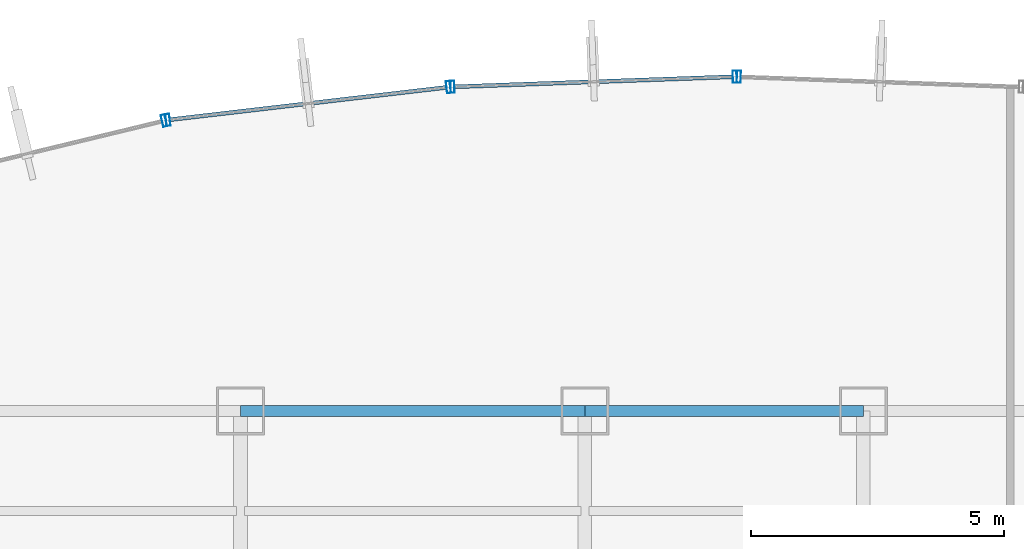
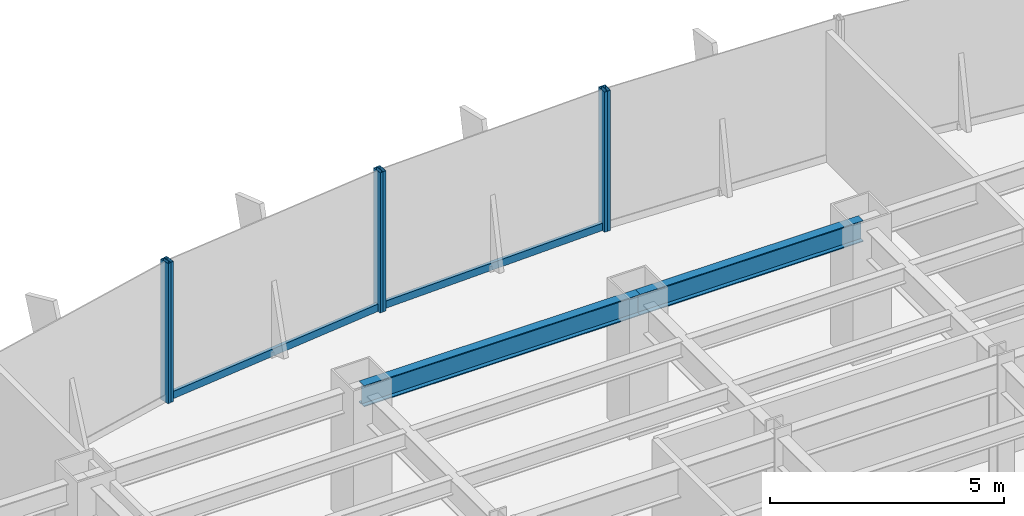
# One storey, part 12 of 22: 8 members, 2 beams, 4 elements without a shape of their own.
"""IFC4 building model written with IfcOpenShell, lengths in metres."""

import ifcopenshell
import ifcopenshell.guid

model = None  # the IFC model being written
_history = None  # IfcOwnerHistory: only IFC2X3 demands one
_inside = {}  # id of a spatial element -> (the spatial element, [elements in it])
_under = {}  # id of a project, library or spatial element -> (it, [spatial elements below it])
_declared = {}  # id of a project -> (the project, [libraries it declares])
_typed = {}  # id of a type object -> (the type object, [elements of that type])
_made_of = {}  # id of a material, layer set ... -> (it, [elements and type objects made of it])


def new_model(schema):
    """Start an empty IFC model of exactly this schema.

    Asked for "IFC4X3", IfcOpenShell would pick the latest addendum, in which some entities
    have other attributes; the version numbers below select the first issue.
    IFC2X3 requires an IfcOwnerHistory on every rooted entity: one is made here for all.
    """
    global model, _history
    if schema == "IFC4X3":
        model = ifcopenshell.file(schema_version=(4, 3, 0, 0))
    else:
        model = ifcopenshell.file(schema=schema)
    _inside.clear()
    _under.clear()
    _declared.clear()
    _typed.clear()
    _made_of.clear()
    _history = None
    if model.schema == "IFC2X3":
        org = make("IfcOrganization", Name="unknown")
        user = make(
            "IfcPersonAndOrganization",
            ThePerson=make("IfcPerson", FamilyName="unknown"),
            TheOrganization=org,
        )
        app = make(
            "IfcApplication",
            ApplicationDeveloper=org,
            Version="unknown",
            ApplicationFullName="unknown",
            ApplicationIdentifier="unknown",
        )
        _history = make(
            "IfcOwnerHistory",
            OwningUser=user,
            OwningApplication=app,
            ChangeAction="ADDED",
            CreationDate=0,
        )
    return model


def make(cls, **values):
    """One entity of the class cls with the attributes given. An attribute that is None is left unset."""
    return model.create_entity(
        cls, **{name: value for name, value in values.items() if value is not None}
    )


def rooted(cls, **values):
    """An entity with a GlobalId (a new one), such as an element, a storey or a relation."""
    return make(cls, GlobalId=ifcopenshell.guid.new(), OwnerHistory=_history, **values)


def si_unit(unit_type, name, prefix=None):
    """IfcSIUnit, for example si_unit("LENGTHUNIT", "METRE", prefix="MILLI")."""
    return make("IfcSIUnit", UnitType=unit_type, Prefix=prefix, Name=name)


def derived_unit(unit_type, elements):
    """IfcDerivedUnit: a product of units, each with its exponent."""
    return make(
        "IfcDerivedUnit",
        Elements=[
            make("IfcDerivedUnitElement", Unit=unit, Exponent=power)
            for unit, power in elements
        ],
        UnitType=unit_type,
    )


def assignment(units):
    """IfcUnitAssignment: the units of a project."""
    return None if units is None else make("IfcUnitAssignment", Units=units)


def point(xyz):
    """IfcCartesianPoint."""
    return None if xyz is None else make("IfcCartesianPoint", Coordinates=xyz)


def direction(xyz):
    """IfcDirection."""
    return None if xyz is None else make("IfcDirection", DirectionRatios=xyz)


def frame(location, z_axis=None, x_axis=None):
    """IfcAxis2Placement3D, a coordinate frame: its origin and axes. An axis left out is left unset."""
    return make(
        "IfcAxis2Placement3D",
        Location=point(location),
        Axis=direction(z_axis),
        RefDirection=direction(x_axis),
    )


def frame_2d(location, x_axis=None):
    """IfcAxis2Placement2D, a coordinate frame in the plane: its origin and x axis."""
    return make(
        "IfcAxis2Placement2D", Location=point(location), RefDirection=direction(x_axis)
    )


def origin():
    """The frame at (0, 0, 0) with its axes left unset."""
    return frame((0.0, 0.0, 0.0))


def origin_2d():
    """The frame at (0, 0) in the plane with its x axis left unset."""
    return frame_2d((0.0, 0.0))


def place(relative_to, where):
    """IfcLocalPlacement: puts the frame where relative to a parent placement (None: the world)."""
    return make(
        "IfcLocalPlacement", PlacementRelTo=relative_to, RelativePlacement=where
    )


def context(
    kind, dimensions, precision=None, world=None, true_north=None, identifier=None
):
    """IfcGeometricRepresentationContext, for example the 3D "Model" context."""
    return make(
        "IfcGeometricRepresentationContext",
        ContextIdentifier=identifier,
        ContextType=kind,
        CoordinateSpaceDimension=dimensions,
        Precision=precision,
        WorldCoordinateSystem=world,
        TrueNorth=true_north,
    )


def subcontext(parent, identifier, kind, view, scale=None):
    """IfcGeometricRepresentationSubContext, for example "Body" below "Model"."""
    return make(
        "IfcGeometricRepresentationSubContext",
        ContextIdentifier=identifier,
        ContextType=kind,
        ParentContext=parent,
        TargetScale=scale,
        TargetView=view,
    )


def project(units=None, contexts=None):
    """IfcProject with its units and contexts."""
    return rooted(
        "IfcProject",
        Name="project",
        RepresentationContexts=contexts,
        UnitsInContext=assignment(units),
    )


def spatial(cls, under=None, at=None, **own):
    """A site, building, storey or space (cls), placed at a placement, below another one or the project."""
    s = rooted(cls, ObjectPlacement=at, **own)
    if under is not None:
        _under.setdefault(under.id(), (under, []))[1].append(s)
    return s


def profile(cls, at=None, kind="AREA", **sizes):
    """A parametric profile (cls). Its sizes go by their IFC names, for example OverallWidth=200.0."""
    return make(cls, ProfileType=kind, Position=at, **sizes)


def hollow_rectangle(**sizes):
    """IfcRectangleHollowProfileDef."""
    return profile("IfcRectangleHollowProfileDef", **sizes)


def i_section(**sizes):
    """IfcIShapeProfileDef."""
    return profile("IfcIShapeProfileDef", **sizes)


def extrude(swept, where, along, depth):
    """IfcExtrudedAreaSolid: the profile swept, set in the frame where, extruded along a direction by depth."""
    return make(
        "IfcExtrudedAreaSolid",
        SweptArea=swept,
        Position=where,
        ExtrudedDirection=direction(along),
        Depth=depth,
    )


def shape(context_of_items, identifier, shape_type, items):
    """IfcShapeRepresentation: the items that make up one representation, for example the "Body"."""
    return make(
        "IfcShapeRepresentation",
        ContextOfItems=context_of_items,
        RepresentationIdentifier=identifier,
        RepresentationType=shape_type,
        Items=items,
    )


def source(mapping_origin, context_of_items, identifier, shape_type, items):
    """IfcRepresentationMap: a shape defined once, which mapped items show again and again."""
    return make(
        "IfcRepresentationMap",
        MappingOrigin=mapping_origin,
        MappedRepresentation=shape(context_of_items, identifier, shape_type, items),
    )


def transform(
    local_origin,
    x_axis=None,
    y_axis=None,
    z_axis=None,
    scale=None,
    scale2=None,
    scale3=None,
    uniform=True,
):
    """IfcCartesianTransformationOperator3D, or its non-uniform kind. x_axis, y_axis, z_axis: its Axis1, 2, 3."""
    if uniform:
        return make(
            "IfcCartesianTransformationOperator3D",
            Axis1=direction(x_axis),
            Axis2=direction(y_axis),
            LocalOrigin=point(local_origin),
            Scale=scale,
            Axis3=direction(z_axis),
        )
    return make(
        "IfcCartesianTransformationOperator3DnonUniform",
        Axis1=direction(x_axis),
        Axis2=direction(y_axis),
        LocalOrigin=point(local_origin),
        Scale=scale,
        Axis3=direction(z_axis),
        Scale2=scale2,
        Scale3=scale3,
    )


def mapped(mapping_source, mapping_target):
    """IfcMappedItem: shows the shape of a source again, moved by a transform."""
    return make(
        "IfcMappedItem", MappingSource=mapping_source, MappingTarget=mapping_target
    )


def material(Name=None, Category=None):
    """IfcMaterial."""
    return make("IfcMaterial", Name=Name, Category=Category)


def material_profile(
    of_material, cross_section, Name=None, Category=None, Priority=None
):
    """IfcMaterialProfile: a cross section and its material."""
    return make(
        "IfcMaterialProfile",
        Name=Name,
        Material=of_material,
        Profile=cross_section,
        Priority=Priority,
        Category=Category,
    )


def profile_set(profiles, Name=None, composite=None):
    """IfcMaterialProfileSet."""
    return make(
        "IfcMaterialProfileSet",
        Name=Name,
        MaterialProfiles=profiles,
        CompositeProfile=composite,
    )


def made_of(thing, what):
    """Note that an element or type object is made of a material, layer set ...; save() writes the relation."""
    if what is not None:
        _made_of.setdefault(what.id(), (what, []))[1].append(thing)
    return thing


def type_object(cls, material=None, **own):
    """A type object (cls), such as IfcWallType, which elements share."""
    return made_of(rooted(cls, **own), material)


def element(
    cls,
    number,
    at=None,
    inside=None,
    cuts=None,
    type_object=None,
    material=None,
    context=None,
    identifier="Body",
    shape_type=None,
    held_by="IfcProductDefinitionShape",
    body=None,
    shapes=None,
    **own,
):
    """One element of the class cls, such as IfcWall. Its Tag is "e" and its number.

    at: its placement. inside: the storey or other place that contains it. cuts: it is an
    opening in that element (IfcRelVoidsElement). A single representation is given by context,
    identifier, shape_type and body (its items); several are given by shapes. held_by: the class
    of the entity that holds the representations. save() writes the other relations.
    """
    e = rooted(cls, Tag="e%d" % number, ObjectPlacement=at, **own)
    if body is not None:
        shapes = [shape(context, identifier, shape_type, body)]
    if shapes is not None:
        e.Representation = make(held_by, Representations=shapes)
    if inside is not None:
        _inside.setdefault(inside.id(), (inside, []))[1].append(e)
    if cuts is not None:
        rooted(
            "IfcRelVoidsElement", RelatingBuildingElement=cuts, RelatedOpeningElement=e
        )
    if type_object is not None:
        _typed.setdefault(type_object.id(), (type_object, []))[1].append(e)
    return made_of(e, material)


def aggregate(whole, parts):
    """IfcRelAggregates: a whole, such as a stair, and the parts it consists of."""
    return rooted("IfcRelAggregates", RelatingObject=whole, RelatedObjects=parts)


def save(model, path):
    """Write the relations noted so far, then the file.

    IfcRelAggregates (storeys below a building ...), IfcRelContainedInSpatialStructure (elements
    in a storey), IfcRelDefinesByType, IfcRelAssociatesMaterial and IfcRelDeclares: one each for
    every whole, place, type object, material and project.
    """
    for whole, parts in _under.values():
        aggregate(whole, parts)
    for where, things in _inside.values():
        rooted(
            "IfcRelContainedInSpatialStructure",
            RelatedElements=things,
            RelatingStructure=where,
        )
    for kind, things in _typed.values():
        rooted("IfcRelDefinesByType", RelatedObjects=things, RelatingType=kind)
    for what, things in _made_of.values():
        rooted("IfcRelAssociatesMaterial", RelatedObjects=things, RelatingMaterial=what)
    for by, libraries in _declared.values():
        rooted("IfcRelDeclares", RelatingContext=by, RelatedDefinitions=libraries)
    model.write(path)


model = new_model("IFC4")

# Units and contexts
model_context = context("Model", 3, precision=1e-05, world=origin(), true_north=direction((0.0, 1.0)))
body_context = subcontext(model_context, "Body", "Model", "MODEL_VIEW")
ifc_project = project(units=[si_unit("LENGTHUNIT", "METRE"), si_unit("AREAUNIT", "SQUARE_METRE"), si_unit("VOLUMEUNIT", "CUBIC_METRE"), si_unit("PLANEANGLEUNIT", "RADIAN"), si_unit("MASSUNIT", "GRAM", prefix="KILO"), derived_unit("THERMALTRANSMITTANCEUNIT", [(si_unit("POWERUNIT", "WATT"), 1), (si_unit("LENGTHUNIT", "METRE"), -2), (si_unit("THERMODYNAMICTEMPERATUREUNIT", "KELVIN"), -1)])], contexts=[model_context])

# Site, building, storey
site_placement = place(None, origin())
site = spatial("IfcSite", under=ifc_project, at=site_placement, CompositionType="ELEMENT")
building_placement = place(site_placement, origin())
building = spatial("IfcBuilding", under=site, at=building_placement, Name="Skarnbrae Concourse Arena and Tower", CompositionType="ELEMENT")
storey_placement = place(building_placement, frame((0.0, 0.0, 32.5)))
storey = spatial("IfcBuildingStorey", under=building, at=storey_placement, Name="L06", CompositionType="ELEMENT", Elevation=32.5)

# Beams
ifc_material_1 = material(Name="Steel CSA G40.21 350W", Category="steel")
ifc_material_profile_1 = material_profile(ifc_material_1, i_section(OverallWidth=0.214111328125, OverallDepth=0.549072265625, WebThickness=0.0146484375, FlangeThickness=0.023681640625, at=origin_2d()), Name="W530X138")
ifc_profile_set_1 = profile_set([ifc_material_profile_1], Name="Steel CSA G40.21 350W")
beam_type = type_object("IfcBeamType", Name="BM-SPAN-W530X138", PredefinedType="SPANDREL", material=ifc_profile_set_1)
shared_shape_1 = source(origin(), body_context, "Body", "SweptSolid", [
    extrude(i_section(OverallWidth=0.214111328125, OverallDepth=0.549072265625, WebThickness=0.0146484375, FlangeThickness=0.023681640625, at=origin_2d()), origin(), (0.0, 0.0, 1.0), 6.800048828125),
])
beam_1_placement = place(storey_placement, frame((21.199951171875, 40.39990234375, 3.12548828125), z_axis=(1.0, 0.0, 0.0), x_axis=(0.0, 1.0, 0.0)))
element("IfcBeam", 1, at=beam_1_placement, inside=storey, type_object=beam_type, Name="L06 Perimeter spandrel Y40.4-3", PredefinedType="SPANDREL", context=body_context, shape_type="MappedRepresentation", body=[
    mapped(shared_shape_1, transform((0.0, 0.0, 0.0))),
])
shared_shape_2 = source(origin(), body_context, "Body", "SweptSolid", [
    extrude(i_section(OverallWidth=0.214111328125, OverallDepth=0.549072265625, WebThickness=0.0146484375, FlangeThickness=0.023681640625, at=origin_2d()), origin(), (0.0, 0.0, 1.0), 5.5),
])
beam_2_placement = place(storey_placement, frame((28.0, 40.39990234375, 3.12548828125), z_axis=(1.0, 0.0, 0.0), x_axis=(0.0, 1.0, 0.0)))
element("IfcBeam", 2, at=beam_2_placement, inside=storey, type_object=beam_type, Name="L06 Perimeter spandrel Y40.4-4", PredefinedType="SPANDREL", context=body_context, shape_type="MappedRepresentation", body=[
    mapped(shared_shape_2, transform((0.0, 0.0, 0.0))),
])

# Curtain wall, member
ifc_material_2 = material(Name="Bronze anodised aluminium 6063-T6", Category="aluminium")
curtain_wall_type = type_object("IfcCurtainWallType", Name="CW-SYS-02-LOWZONE", PredefinedType="USERDEFINED", material=ifc_material_2)
curtain_wall_1_placement = place(storey_placement, origin())
curtain_wall_1 = element("IfcCurtainWall", 3, at=curtain_wall_1_placement, inside=storey, type_object=curtain_wall_type, Name="L06 Unitised curtain wall CW-L06-E11", ObjectType="UNITISED CURTAIN WALL", PredefinedType="USERDEFINED")
ifc_material_profile_2 = material_profile(ifc_material_2, hollow_rectangle(XDim=0.080078125, YDim=0.239990234375, WallThickness=0.0048828125, at=origin_2d()), Name="ALU-MULL-80X240")
ifc_profile_set_2 = profile_set([ifc_material_profile_2], Name="Bronze anodised aluminium 6063-T6")
member_type_1 = type_object("IfcMemberType", Name="CWM-CW-02", PredefinedType="MULLION", material=ifc_profile_set_2)
shared_shape_3 = source(origin(), body_context, "Body", "SweptSolid", [
    extrude(hollow_rectangle(XDim=0.080078125, YDim=0.239990234375, WallThickness=0.0048828125, at=origin_2d()), origin(), (0.0, 0.0, 1.0), 3.64990234375),
])
member_1_placement = place(storey_placement, frame((31.0400390625, 46.99853515625, 0.0), z_axis=(0.0, 0.0, 1.0), x_axis=(-0.999355425188, 0.035898943527, 0.0)))
member_1 = element("IfcMember", 4, at=member_1_placement, type_object=member_type_1, Name="CW-L06-E11 Mullion 2", PredefinedType="MULLION", context=body_context, shape_type="MappedRepresentation", body=[
    mapped(shared_shape_3, transform((0.0, 0.0, 0.0))),
])
aggregate(curtain_wall_1, [member_1])

# Curtain wall, members
curtain_wall_2_placement = place(storey_placement, origin())
curtain_wall_2 = element("IfcCurtainWall", 5, at=curtain_wall_2_placement, inside=storey, type_object=curtain_wall_type, Name="L06 Unitised curtain wall CW-L06-E12", ObjectType="UNITISED CURTAIN WALL", PredefinedType="USERDEFINED")
member_2_placement = place(storey_placement, frame((30.9599609375, 46.99853515625, 0.0), z_axis=(0.0, 0.0, 1.0), x_axis=(-0.999355425188, -0.035898943527, 0.0)))
member_2 = element("IfcMember", 6, at=member_2_placement, type_object=member_type_1, Name="CW-L06-E12 Mullion 1", PredefinedType="MULLION", context=body_context, shape_type="MappedRepresentation", body=[
    mapped(shared_shape_3, transform((0.0, 0.0, 0.0))),
])
member_3_placement = place(storey_placement, frame((25.385986328125, 46.79833984375, 0.0), z_axis=(0.0, 0.0, 1.0), x_axis=(-0.999355425188, -0.035898943527, 0.0)))
member_3 = element("IfcMember", 7, at=member_3_placement, type_object=member_type_1, Name="CW-L06-E12 Mullion 2", PredefinedType="MULLION", context=body_context, shape_type="MappedRepresentation", body=[
    mapped(shared_shape_3, transform((0.0, 0.0, 0.0))),
])

curtain_wall_3_placement = place(storey_placement, origin())
curtain_wall_3 = element("IfcCurtainWall", 8, at=curtain_wall_3_placement, inside=storey, type_object=curtain_wall_type, Name="L06 Unitised curtain wall CW-L06-E13", ObjectType="UNITISED CURTAIN WALL", PredefinedType="USERDEFINED")
member_4_placement = place(storey_placement, frame((25.306396484375, 46.792236328125, 0.0), z_axis=(0.0, 0.0, 1.0), x_axis=(-0.99324457001, -0.116039752435, 0.0)))
member_4 = element("IfcMember", 9, at=member_4_placement, type_object=member_type_1, Name="CW-L06-E13 Mullion 1", PredefinedType="MULLION", context=body_context, shape_type="MappedRepresentation", body=[
    mapped(shared_shape_3, transform((0.0, 0.0, 0.0))),
])
member_5_placement = place(storey_placement, frame((19.767333984375, 46.14501953125, 0.0), z_axis=(0.0, 0.0, 1.0), x_axis=(-0.99324457001, -0.116039752435, 0.0)))
member_5 = element("IfcMember", 10, at=member_5_placement, type_object=member_type_1, Name="CW-L06-E13 Mullion 2", PredefinedType="MULLION", context=body_context, shape_type="MappedRepresentation", body=[
    mapped(shared_shape_3, transform((0.0, 0.0, 0.0))),
])

# Curtain wall, member
curtain_wall_4_placement = place(storey_placement, origin())
curtain_wall_4 = element("IfcCurtainWall", 11, at=curtain_wall_4_placement, inside=storey, type_object=curtain_wall_type, Name="L06 Unitised curtain wall CW-L06-E14", ObjectType="UNITISED CURTAIN WALL", PredefinedType="USERDEFINED")
member_6_placement = place(storey_placement, frame((19.688720703125, 46.131103515625, 0.0), z_axis=(0.0, 0.0, 1.0), x_axis=(-0.971973721569, -0.235089524607, 0.0)))
member_6 = element("IfcMember", 12, at=member_6_placement, type_object=member_type_1, Name="CW-L06-E14 Mullion 1", PredefinedType="MULLION", context=body_context, shape_type="MappedRepresentation", body=[
    mapped(shared_shape_3, transform((0.0, 0.0, 0.0))),
])
aggregate(curtain_wall_4, [member_6])

# Member
ifc_material_profile_3 = material_profile(ifc_material_2, hollow_rectangle(XDim=0.080078125, YDim=0.18994140625, WallThickness=0.0048828125, at=origin_2d()), Name="ALU-TRAN-80X190")
ifc_profile_set_3 = profile_set([ifc_material_profile_3], Name="Bronze anodised aluminium 6063-T6")
member_type_2 = type_object("IfcMemberType", Name="CWT-CW-02", PredefinedType="USERDEFINED", material=ifc_profile_set_3)
shared_shape_4 = source(origin(), body_context, "Body", "SweptSolid", [
    extrude(hollow_rectangle(XDim=0.080078125, YDim=0.18994140625, WallThickness=0.0048828125, at=origin_2d()), origin(), (0.0, 0.0, 1.0), 5.49658203125),
])
member_7_placement = place(storey_placement, frame((25.2666015625, 46.78759765625, 0.094970703125), z_axis=(-0.993247281455, -0.116016541417, 0.0), x_axis=(0.116016541417, -0.993247281455, 0.0)))
member_7 = element("IfcMember", 13, at=member_7_placement, type_object=member_type_2, Name="CW-L06-E13 Transom 1", ObjectType="TRANSOM", PredefinedType="USERDEFINED", context=body_context, shape_type="MappedRepresentation", body=[
    mapped(shared_shape_4, transform((0.0, 0.0, 0.0))),
])

aggregate(curtain_wall_3, [member_4, member_5, member_7])

shared_shape_5 = source(origin(), body_context, "Body", "SweptSolid", [
    extrude(hollow_rectangle(XDim=0.080078125, YDim=0.18994140625, WallThickness=0.0048828125, at=origin_2d()), origin(), (0.0, 0.0, 1.0), 5.497802734375),
])
member_8_placement = place(storey_placement, frame((30.920166015625, 46.9970703125, 0.094970703125), z_axis=(-0.999356047798, -0.03588160712, 0.0), x_axis=(0.03588160712, -0.999356047798, 0.0)))
member_8 = element("IfcMember", 14, at=member_8_placement, type_object=member_type_2, Name="CW-L06-E12 Transom 1", ObjectType="TRANSOM", PredefinedType="USERDEFINED", context=body_context, shape_type="MappedRepresentation", body=[
    mapped(shared_shape_5, transform((0.0, 0.0, 0.0))),
])

aggregate(curtain_wall_2, [member_2, member_3, member_8])

save(model, "model.ifc")
